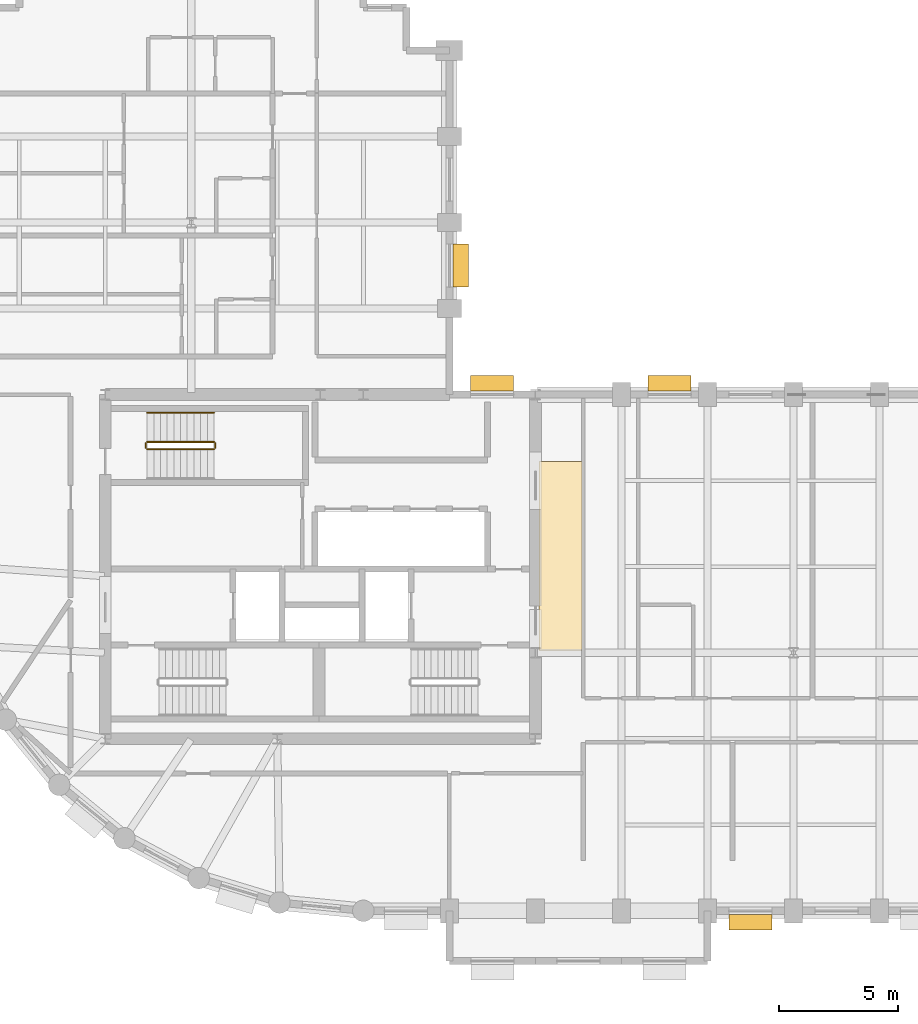
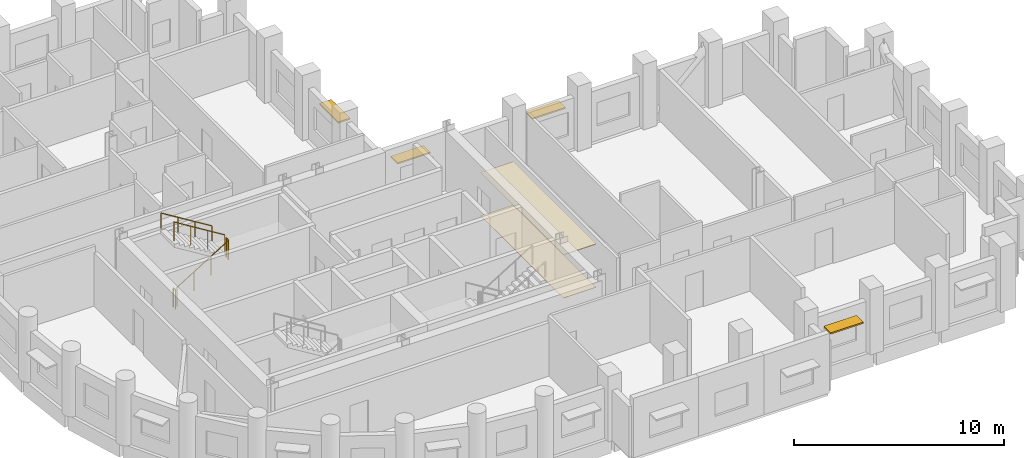
# One storey, part 10 of 11: 5 railings, 4 shading devices, 2 coverings.
"""IFC4 building model written with IfcOpenShell, lengths in metres."""

from ifc_helpers import new_model, si_unit, direction, frame, origin, origin_2d, place, context, subcontext, project, spatial, polyline, rectangle, circle, outline, extrude, material, layer, layer_set, type_object, element, save


model = new_model("IFC4")

# Units and contexts
model_context = context("Model", 3, precision=1e-05, world=origin(), true_north=direction((0.0, 1.0)))
body_context = subcontext(model_context, "Body", "Model", "MODEL_VIEW")
ifc_project = project(units=[si_unit("LENGTHUNIT", "METRE"), si_unit("AREAUNIT", "SQUARE_METRE"), si_unit("VOLUMEUNIT", "CUBIC_METRE"), si_unit("PLANEANGLEUNIT", "RADIAN"), si_unit("MASSUNIT", "GRAM", prefix="KILO")], contexts=[model_context])

# Site, building, storey
site_placement = place(None, origin())
site = spatial("IfcSite", under=ifc_project, at=site_placement, CompositionType="ELEMENT")
building_placement = place(site_placement, origin())
building = spatial("IfcBuilding", under=site, at=building_placement, Name="Solnavia Interchange Tower", CompositionType="ELEMENT")
storey_placement = place(building_placement, frame((0.0, 0.0, 165.60009765625)))
storey = spatial("IfcBuildingStorey", under=building, at=storey_placement, Name="L41", CompositionType="ELEMENT", Elevation=165.60009765625)

# Coverings
ifc_material_1 = material(Name="Perforated Mineral-Fibre & Gypsum Ceiling", Category="gypsum")
ifc_layer_1 = layer(ifc_material_1, 0.0400390625)
ifc_layer_set_1 = layer_set([ifc_layer_1], Name="Perforated Mineral-Fibre & Gypsum Ceiling")
covering_type_1 = type_object("IfcCoveringType", Name="Covering-Ceiling-Acoustic40", PredefinedType="CEILING", material=ifc_layer_set_1)
covering_1_placement = place(storey_placement, frame((0.0, 0.0, 2.5)))
element("IfcCovering", 1, at=covering_1_placement, inside=storey, type_object=covering_type_1, Name="CLG-L41-01 Circulation suspended acoustic ceiling", PredefinedType="CEILING", context=body_context, shape_type="SweptSolid", body=[
    extrude(outline(polyline([(32.550048828125, 14.5), (34.35009765625, 14.5), (34.35009765625, 22.39990234375), (32.550048828125, 22.39990234375), (32.550048828125, 14.5)])), origin(), (0.0, 0.0, 1.0), 0.039794921875),
])
ifc_material_2 = material(Name="Engineered European Oak Flooring", Category="wood")
ifc_layer_2 = layer(ifc_material_2, 0.02001953125)
ifc_layer_set_2 = layer_set([ifc_layer_2], Name="Engineered European Oak Flooring")
covering_type_2 = type_object("IfcCoveringType", Name="Covering-Flooring-Timber20", PredefinedType="FLOORING", material=ifc_layer_set_2)
covering_2_placement = place(storey_placement, origin())
element("IfcCovering", 2, at=covering_2_placement, inside=storey, type_object=covering_type_2, Name="FLR-L41-01 Circulation floor finish", PredefinedType="FLOORING", context=body_context, shape_type="SweptSolid", body=[
    extrude(outline(polyline([(32.550048828125, 14.5), (34.35009765625, 14.5), (34.35009765625, 22.39990234375), (32.550048828125, 22.39990234375), (32.550048828125, 14.5)])), origin(), (0.0, 0.0, 1.0), 0.02001953125),
])

# Railings
ifc_material_3 = material(Name="Painted Steel Balustrade", Category="steel")
railing_type_1 = type_object("IfcRailingType", Name="Railing-StairGuard-1100", PredefinedType="GUARDRAIL", material=ifc_material_3)
railing_1_placement = place(storey_placement, frame((16.14990234375, 22.919921875, 0.172607421875)))
element("IfcRailing", 3, at=railing_1_placement, inside=storey, type_object=railing_type_1, Name="L41 ST-3 stair guard 1", PredefinedType="GUARDRAIL", context=body_context, shape_type="SweptSolid", body=[
    extrude(circle(Radius=0.02392578125, at=origin_2d()), frame((0.0, 0.0, 1.09619140625), z_axis=(0.851089632645, 0.0, 0.525020415988), x_axis=(0.0, 1.0, 0.0)), (0.0, 0.0, 1.0), 3.2900390625),
    extrude(circle(Radius=0.02099609375, at=origin_2d()), origin(), (0.0, 0.0, 1.0), 1.072021484375),
    extrude(circle(Radius=0.02099609375, at=origin_2d()), frame((0.933349609375, 0.0, 0.57568359375)), (0.0, 0.0, 1.0), 1.072021484375),
    extrude(circle(Radius=0.02099609375, at=origin_2d()), frame((1.86669921875, 0.0, 1.151611328125)), (0.0, 0.0, 1.0), 1.072021484375),
    extrude(circle(Radius=0.02099609375, at=origin_2d()), frame((2.800048828125, 0.0, 1.727294921875)), (0.0, 0.0, 1.0), 1.072021484375),
])
railing_2_placement = place(storey_placement, frame((19.0, 22.969970703125, 1.89990234375)))
element("IfcRailing", 4, at=railing_2_placement, inside=storey, type_object=railing_type_1, Name="L41 ST-3 stair guard 2", PredefinedType="GUARDRAIL", context=body_context, shape_type="SweptSolid", body=[
    extrude(circle(Radius=0.02392578125, at=origin_2d()), frame((0.0, 0.0, 1.09619140625), z_axis=(0.0, 1.0, 0.0), x_axis=(-1.0, 0.0, 0.0)), (0.0, 0.0, 1.0), 0.199951171875),
    extrude(circle(Radius=0.02099609375, at=origin_2d()), origin(), (0.0, 0.0, 1.0), 1.072021484375),
    extrude(circle(Radius=0.02099609375, at=origin_2d()), frame((0.0, 0.199951171875, 0.0)), (0.0, 0.0, 1.0), 1.072021484375),
])
railing_3_placement = place(storey_placement, frame((18.949951171875, 23.219970703125, 2.072509765625)))
element("IfcRailing", 5, at=railing_3_placement, inside=storey, type_object=railing_type_1, Name="L41 ST-3 stair guard 3", PredefinedType="GUARDRAIL", context=body_context, shape_type="SweptSolid", body=[
    extrude(circle(Radius=0.02392578125, at=origin_2d()), frame((0.0, 0.0, 1.09619140625), z_axis=(-0.851089632645, 0.0, 0.525020415988), x_axis=(0.0, -1.0, 0.0)), (0.0, 0.0, 1.0), 3.2900390625),
    extrude(circle(Radius=0.02099609375, at=origin_2d()), origin(), (0.0, 0.0, 1.0), 1.072021484375),
    extrude(circle(Radius=0.02099609375, at=origin_2d()), frame((-0.933349609375, 0.0, 0.57568359375)), (0.0, 0.0, 1.0), 1.072021484375),
    extrude(circle(Radius=0.02099609375, at=origin_2d()), frame((-1.86669921875, 0.0, 1.151611328125)), (0.0, 0.0, 1.0), 1.072021484375),
    extrude(circle(Radius=0.02099609375, at=origin_2d()), frame((-2.800048828125, 0.0, 1.727294921875)), (0.0, 0.0, 1.0), 1.072021484375),
])
railing_4_placement = place(storey_placement, frame((16.10009765625, 22.969970703125, 0.0)))
element("IfcRailing", 6, at=railing_4_placement, inside=storey, type_object=railing_type_1, Name="L41 ST-3 stair guard 4", PredefinedType="GUARDRAIL", context=body_context, shape_type="SweptSolid", body=[
    extrude(circle(Radius=0.02392578125, at=origin_2d()), frame((0.0, 0.0, 1.09619140625), z_axis=(0.0, 1.0, 0.0), x_axis=(-1.0, 0.0, 0.0)), (0.0, 0.0, 1.0), 0.199951171875),
    extrude(circle(Radius=0.02099609375, at=origin_2d()), origin(), (0.0, 0.0, 1.0), 1.072021484375),
    extrude(circle(Radius=0.02099609375, at=origin_2d()), frame((0.0, 0.199951171875, 0.0)), (0.0, 0.0, 1.0), 1.072021484375),
])
ifc_material_4 = material(Name="Brushed Stainless Steel", Category="steel")
railing_type_2 = type_object("IfcRailingType", Name="Railing-StairHandrail-900", PredefinedType="HANDRAIL", material=ifc_material_4)
railing_5_placement = place(storey_placement, frame((18.949951171875, 24.43994140625, 2.072509765625)))
element("IfcRailing", 7, at=railing_5_placement, inside=storey, type_object=railing_type_2, Name="L41 ST-3 stair handrail 2", PredefinedType="HANDRAIL", context=body_context, shape_type="SweptSolid", body=[
    extrude(circle(Radius=0.02392578125, at=origin_2d()), frame((0.0, 0.0, 0.8759765625), z_axis=(-0.851089632645, 0.0, 0.525020415988), x_axis=(0.0, -1.0, 0.0)), (0.0, 0.0, 1.0), 3.2900390625),
    extrude(circle(Radius=0.02099609375, at=origin_2d()), origin(), (0.0, 0.0, 1.0), 0.851806640625),
    extrude(circle(Radius=0.02099609375, at=origin_2d()), frame((-0.933349609375, 0.0, 0.57568359375)), (0.0, 0.0, 1.0), 0.851806640625),
    extrude(circle(Radius=0.02099609375, at=origin_2d()), frame((-1.86669921875, 0.0, 1.151611328125)), (0.0, 0.0, 1.0), 0.851806640625),
    extrude(circle(Radius=0.02099609375, at=origin_2d()), frame((-2.800048828125, 0.0, 1.727294921875)), (0.0, 0.0, 1.0), 0.851806640625),
])

# Shading devices
ifc_material_5 = material(Name="Anodised Aluminium Sunshade", Category="aluminium")
ifc_layer_3 = layer(ifc_material_5, 0.080078125)
ifc_layer_set_3 = layer_set([ifc_layer_3], Name="Anodised Aluminium Sunshade")
shading_device_type = type_object("IfcShadingDeviceType", Name="Sunshade-Band-650", PredefinedType="SHUTTER", material=ifc_layer_set_3)
for number, where, z_axis, x_axis, name in (
    (8, (41.39990234375, 3.1298828125, 2.219970703125), (0.0, 0.0, 1.0), (-1.0, 0.0, 0.0), "SHD-L41-07 Horizontal sunshade band"),
    (9, (38.02001953125, 25.669921875, 2.219970703125), (0.0, 0.0, 1.0), (1.0, 0.0, 0.0), "SHD-L41-25 Horizontal sunshade band"),
    (10, (30.583984375, 25.669921875, 2.219970703125), (0.0, 0.0, 1.0), (1.0, 0.0, 0.0), "SHD-L41-27 Horizontal sunshade band"),
    (11, (29.27001953125, 30.60009765625, 2.219970703125), (0.0, 0.0, 1.0), (0.0, -1.0, 0.0), "SHD-L41-29 Horizontal sunshade band"),
):
    element("IfcShadingDevice", number, at=place(storey_placement, frame(where, z_axis=z_axis, x_axis=x_axis)), inside=storey, type_object=shading_device_type, Name=name, PredefinedType="SHUTTER", context=body_context, shape_type="SweptSolid", body=[
        extrude(rectangle(XDim=1.800048828125, YDim=0.64990234375, at=origin_2d()), origin(), (0.0, 0.0, 1.0), 0.080078125),
    ])

save(model, "model.ifc")
